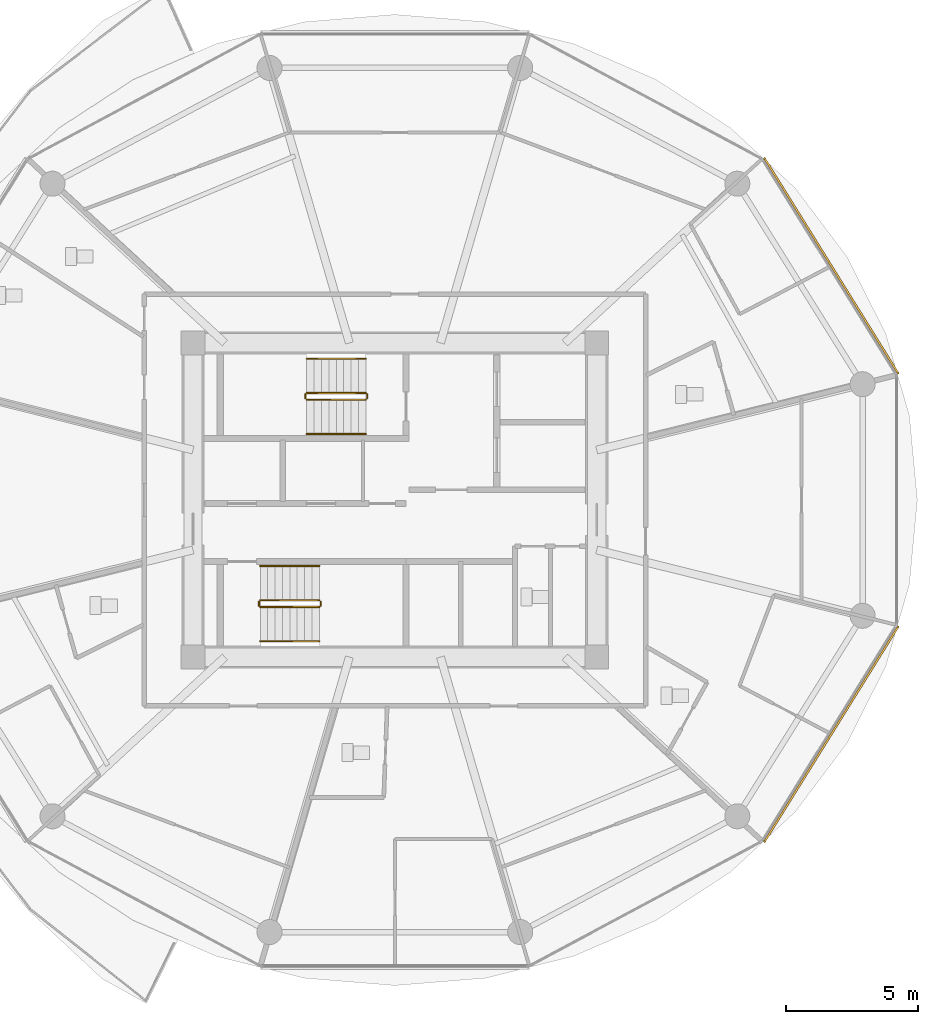
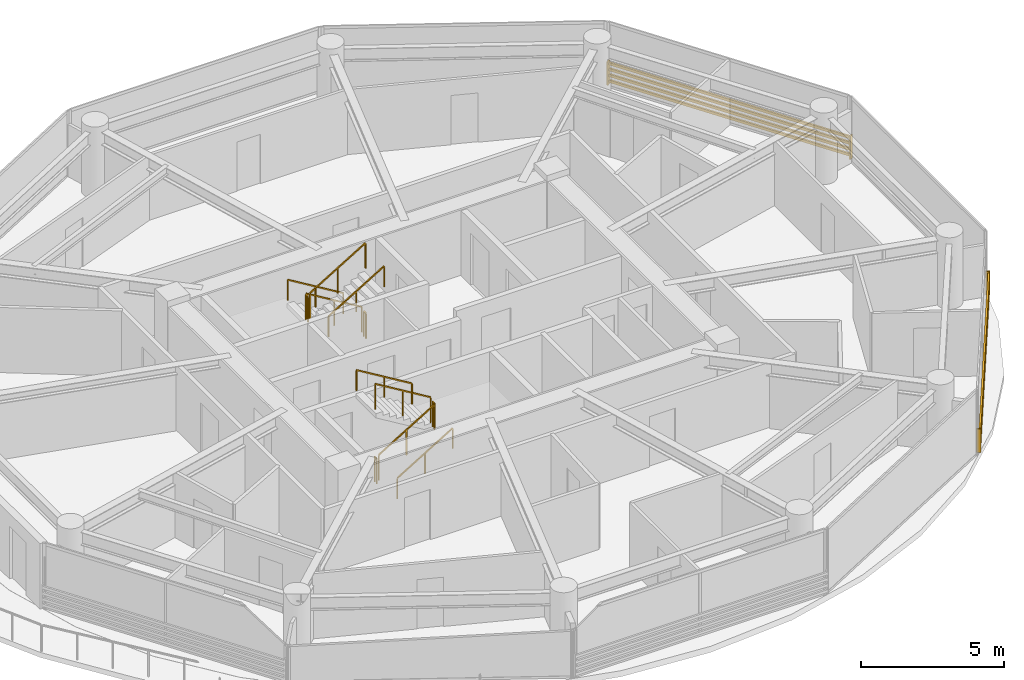
# One storey, part 24 of 26: 12 railings, 2 shading devices.
"""IFC4 building model written with IfcOpenShell, lengths in metres."""

from ifc_helpers import new_model, si_unit, direction, frame, origin, origin_2d, place, context, subcontext, project, spatial, rectangle, extrude, source, transform, mapped, material, type_object, type_shapes, element, save


model = new_model("IFC4")

# Units and contexts
model_context = context("Model", 3, precision=1e-05, world=origin(), true_north=direction((0.0, 1.0)))
body_context = subcontext(model_context, "Body", "Model", "MODEL_VIEW")
ifc_project = project(units=[si_unit("LENGTHUNIT", "METRE"), si_unit("AREAUNIT", "SQUARE_METRE"), si_unit("VOLUMEUNIT", "CUBIC_METRE"), si_unit("PLANEANGLEUNIT", "RADIAN"), si_unit("MASSUNIT", "GRAM", prefix="KILO")], contexts=[model_context])

# Site, building, storey
site_placement = place(None, origin())
site = spatial("IfcSite", under=ifc_project, at=site_placement, CompositionType="ELEMENT")
building_placement = place(site_placement, origin())
building = spatial("IfcBuilding", under=site, at=building_placement, Name="Norrkilde Senior Care Towers", CompositionType="ELEMENT")
storey_placement = place(building_placement, frame((0.0, 0.0, 67.35009765625)))
storey = spatial("IfcBuildingStorey", under=building, at=storey_placement, Name="L20", CompositionType="ELEMENT", Elevation=67.35009765625)

# Railings
ifc_material_1 = material(Name="Stainless Steel", Category="steel")
railing_type_1 = type_object("IfcRailingType", Name="Stair and Terrace Guardrail 1100", PredefinedType="GUARDRAIL", material=ifc_material_1)
railing_1_placement = place(storey_placement, frame((26.89990234375, 4.050048828125, 0.16943359375)))
element("IfcRailing", 1, at=railing_1_placement, inside=storey, type_object=railing_type_1, Name="L20 ST-E1 stair guard 1", PredefinedType="GUARDRAIL", context=body_context, shape_type="SweptSolid", body=[
    extrude(rectangle(XDim=0.048095703125, YDim=0.048095703125, at=origin_2d()), frame((0.0, 0.0, 1.076171875), z_axis=(-0.855553338991, 0.0, 0.51771467445), x_axis=(0.0, -1.0, 0.0)), (0.0, 0.0, 1.0), 2.6181640625),
    extrude(rectangle(XDim=0.0419921875, YDim=0.0419921875, at=origin_2d()), origin(), (0.0, 0.0, 1.0), 1.050048828125),
    extrude(rectangle(XDim=0.0419921875, YDim=0.0419921875, at=origin_2d()), frame((-1.1201171875, 0.0, 0.677734375)), (0.0, 0.0, 1.0), 1.050048828125),
    extrude(rectangle(XDim=0.0419921875, YDim=0.0419921875, at=origin_2d()), frame((-2.239990234375, 0.0, 1.35546875)), (0.0, 0.0, 1.0), 1.050048828125),
])
railing_2_placement = place(storey_placement, frame((24.610107421875, 4.0, 1.52490234375)))
element("IfcRailing", 2, at=railing_2_placement, inside=storey, type_object=railing_type_1, Name="L20 ST-E1 stair guard 2", PredefinedType="GUARDRAIL", context=body_context, shape_type="SweptSolid", body=[
    extrude(rectangle(XDim=0.048095703125, YDim=0.048095703125, at=origin_2d()), frame((0.0, 0.0, 1.076171875), z_axis=(0.0, -1.0, 0.0), x_axis=(1.0, 0.0, 0.0)), (0.0, 0.0, 1.0), 0.14990234375),
    extrude(rectangle(XDim=0.0419921875, YDim=0.0419921875, at=origin_2d()), origin(), (0.0, 0.0, 1.0), 1.050048828125),
    extrude(rectangle(XDim=0.0419921875, YDim=0.0419921875, at=origin_2d()), frame((0.0, -0.14990234375, 0.0)), (0.0, 0.0, 1.0), 1.050048828125),
])
railing_3_placement = place(storey_placement, frame((24.659912109375, 3.800048828125, 1.6943359375)))
element("IfcRailing", 3, at=railing_3_placement, inside=storey, type_object=railing_type_1, Name="L20 ST-E1 stair guard 3", PredefinedType="GUARDRAIL", context=body_context, shape_type="SweptSolid", body=[
    extrude(rectangle(XDim=0.048095703125, YDim=0.048095703125, at=origin_2d()), frame((0.0, 0.0, 1.076171875), z_axis=(0.855553338991, 0.0, 0.51771467445), x_axis=(0.0, 1.0, 0.0)), (0.0, 0.0, 1.0), 2.6181640625),
    extrude(rectangle(XDim=0.0419921875, YDim=0.0419921875, at=origin_2d()), origin(), (0.0, 0.0, 1.0), 1.050048828125),
    extrude(rectangle(XDim=0.0419921875, YDim=0.0419921875, at=origin_2d()), frame((1.1201171875, 0.0, 0.677734375)), (0.0, 0.0, 1.0), 1.050048828125),
    extrude(rectangle(XDim=0.0419921875, YDim=0.0419921875, at=origin_2d()), frame((2.239990234375, 0.0, 1.35546875)), (0.0, 0.0, 1.0), 1.050048828125),
])
railing_4_placement = place(storey_placement, frame((26.949951171875, 4.0, 0.0)))
element("IfcRailing", 4, at=railing_4_placement, inside=storey, type_object=railing_type_1, Name="L20 ST-E1 stair guard 4", PredefinedType="GUARDRAIL", context=body_context, shape_type="SweptSolid", body=[
    extrude(rectangle(XDim=0.048095703125, YDim=0.048095703125, at=origin_2d()), frame((0.0, 0.0, 1.076171875), z_axis=(0.0, -1.0, 0.0), x_axis=(1.0, 0.0, 0.0)), (0.0, 0.0, 1.0), 0.14990234375),
    extrude(rectangle(XDim=0.0419921875, YDim=0.0419921875, at=origin_2d()), origin(), (0.0, 0.0, 1.0), 1.050048828125),
    extrude(rectangle(XDim=0.0419921875, YDim=0.0419921875, at=origin_2d()), frame((0.0, -0.14990234375, 0.0)), (0.0, 0.0, 1.0), 1.050048828125),
])
railing_5_placement = place(storey_placement, frame((22.89990234375, -4.050048828125, 0.16943359375)))
element("IfcRailing", 5, at=railing_5_placement, inside=storey, type_object=railing_type_1, Name="L20 ST-E2 stair guard 1", PredefinedType="GUARDRAIL", context=body_context, shape_type="SweptSolid", body=[
    extrude(rectangle(XDim=0.048095703125, YDim=0.048095703125, at=origin_2d()), frame((0.0, 0.0, 1.076171875), z_axis=(0.855553338991, 0.0, 0.51771467445), x_axis=(0.0, 1.0, 0.0)), (0.0, 0.0, 1.0), 2.6181640625),
    extrude(rectangle(XDim=0.0419921875, YDim=0.0419921875, at=origin_2d()), origin(), (0.0, 0.0, 1.0), 1.050048828125),
    extrude(rectangle(XDim=0.0419921875, YDim=0.0419921875, at=origin_2d()), frame((1.1201171875, 0.0, 0.677734375)), (0.0, 0.0, 1.0), 1.050048828125),
    extrude(rectangle(XDim=0.0419921875, YDim=0.0419921875, at=origin_2d()), frame((2.239990234375, 0.0, 1.35546875)), (0.0, 0.0, 1.0), 1.050048828125),
])
railing_6_placement = place(storey_placement, frame((25.18994140625, -4.0, 1.52490234375)))
element("IfcRailing", 6, at=railing_6_placement, inside=storey, type_object=railing_type_1, Name="L20 ST-E2 stair guard 2", PredefinedType="GUARDRAIL", context=body_context, shape_type="SweptSolid", body=[
    extrude(rectangle(XDim=0.048095703125, YDim=0.048095703125, at=origin_2d()), frame((0.0, 0.0, 1.076171875), z_axis=(0.0, 1.0, 0.0), x_axis=(-1.0, 0.0, 0.0)), (0.0, 0.0, 1.0), 0.14990234375),
    extrude(rectangle(XDim=0.0419921875, YDim=0.0419921875, at=origin_2d()), origin(), (0.0, 0.0, 1.0), 1.050048828125),
    extrude(rectangle(XDim=0.0419921875, YDim=0.0419921875, at=origin_2d()), frame((0.0, 0.14990234375, 0.0)), (0.0, 0.0, 1.0), 1.050048828125),
])
railing_7_placement = place(storey_placement, frame((25.139892578125, -3.800048828125, 1.6943359375)))
element("IfcRailing", 7, at=railing_7_placement, inside=storey, type_object=railing_type_1, Name="L20 ST-E2 stair guard 3", PredefinedType="GUARDRAIL", context=body_context, shape_type="SweptSolid", body=[
    extrude(rectangle(XDim=0.048095703125, YDim=0.048095703125, at=origin_2d()), frame((0.0, 0.0, 1.076171875), z_axis=(-0.855553338991, 0.0, 0.51771467445), x_axis=(0.0, -1.0, 0.0)), (0.0, 0.0, 1.0), 2.6181640625),
    extrude(rectangle(XDim=0.0419921875, YDim=0.0419921875, at=origin_2d()), origin(), (0.0, 0.0, 1.0), 1.050048828125),
    extrude(rectangle(XDim=0.0419921875, YDim=0.0419921875, at=origin_2d()), frame((-1.1201171875, 0.0, 0.677734375)), (0.0, 0.0, 1.0), 1.050048828125),
    extrude(rectangle(XDim=0.0419921875, YDim=0.0419921875, at=origin_2d()), frame((-2.239990234375, 0.0, 1.35546875)), (0.0, 0.0, 1.0), 1.050048828125),
])
railing_8_placement = place(storey_placement, frame((22.85009765625, -4.0, 0.0)))
element("IfcRailing", 8, at=railing_8_placement, inside=storey, type_object=railing_type_1, Name="L20 ST-E2 stair guard 4", PredefinedType="GUARDRAIL", context=body_context, shape_type="SweptSolid", body=[
    extrude(rectangle(XDim=0.048095703125, YDim=0.048095703125, at=origin_2d()), frame((0.0, 0.0, 1.076171875), z_axis=(0.0, 1.0, 0.0), x_axis=(-1.0, 0.0, 0.0)), (0.0, 0.0, 1.0), 0.14990234375),
    extrude(rectangle(XDim=0.0419921875, YDim=0.0419921875, at=origin_2d()), origin(), (0.0, 0.0, 1.0), 1.050048828125),
    extrude(rectangle(XDim=0.0419921875, YDim=0.0419921875, at=origin_2d()), frame((0.0, 0.14990234375, 0.0)), (0.0, 0.0, 1.0), 1.050048828125),
])
ifc_material_2 = material(Name="Nordic Ash Timber", Category="wood")
railing_type_2 = type_object("IfcRailingType", Name="Wall and Stair Handrail 900", PredefinedType="HANDRAIL", material=ifc_material_2)
railing_9_placement = place(storey_placement, frame((26.89990234375, 5.35009765625, 0.16943359375)))
element("IfcRailing", 9, at=railing_9_placement, inside=storey, type_object=railing_type_2, Name="L20 ST-E1 stair handrail 1", PredefinedType="HANDRAIL", context=body_context, shape_type="SweptSolid", body=[
    extrude(rectangle(XDim=0.048095703125, YDim=0.048095703125, at=origin_2d()), frame((0.0, 0.0, 0.8759765625), z_axis=(-0.855553338991, 0.0, 0.51771467445), x_axis=(0.0, -1.0, 0.0)), (0.0, 0.0, 1.0), 2.6181640625),
    extrude(rectangle(XDim=0.0419921875, YDim=0.0419921875, at=origin_2d()), origin(), (0.0, 0.0, 1.0), 0.849853515625),
    extrude(rectangle(XDim=0.0419921875, YDim=0.0419921875, at=origin_2d()), frame((-1.1201171875, 0.0, 0.677734375)), (0.0, 0.0, 1.0), 0.849853515625),
    extrude(rectangle(XDim=0.0419921875, YDim=0.0419921875, at=origin_2d()), frame((-2.239990234375, 0.0, 1.35546875)), (0.0, 0.0, 1.0), 0.849853515625),
])
for number, where, name in (
    (10, (24.659912109375, 2.5, 1.6943359375), "L20 ST-E1 stair handrail 2"),
    (11, (22.89990234375, -5.35009765625, 0.16943359375), "L20 ST-E2 stair handrail 1"),
):
    element("IfcRailing", number, at=place(storey_placement, frame(where)), inside=storey, type_object=railing_type_2, Name=name, PredefinedType="HANDRAIL", context=body_context, shape_type="SweptSolid", body=[
        extrude(rectangle(XDim=0.048095703125, YDim=0.048095703125, at=origin_2d()), frame((0.0, 0.0, 0.8759765625), z_axis=(0.855553338991, 0.0, 0.51771467445), x_axis=(0.0, 1.0, 0.0)), (0.0, 0.0, 1.0), 2.6181640625),
        extrude(rectangle(XDim=0.0419921875, YDim=0.0419921875, at=origin_2d()), origin(), (0.0, 0.0, 1.0), 0.849853515625),
        extrude(rectangle(XDim=0.0419921875, YDim=0.0419921875, at=origin_2d()), frame((1.1201171875, 0.0, 0.677734375)), (0.0, 0.0, 1.0), 0.849853515625),
        extrude(rectangle(XDim=0.0419921875, YDim=0.0419921875, at=origin_2d()), frame((2.239990234375, 0.0, 1.35546875)), (0.0, 0.0, 1.0), 0.849853515625),
    ])
railing_10_placement = place(storey_placement, frame((25.139892578125, -2.5, 1.6943359375)))
element("IfcRailing", 12, at=railing_10_placement, inside=storey, type_object=railing_type_2, Name="L20 ST-E2 stair handrail 2", PredefinedType="HANDRAIL", context=body_context, shape_type="SweptSolid", body=[
    extrude(rectangle(XDim=0.048095703125, YDim=0.048095703125, at=origin_2d()), frame((0.0, 0.0, 0.8759765625), z_axis=(-0.855553338991, 0.0, 0.51771467445), x_axis=(0.0, -1.0, 0.0)), (0.0, 0.0, 1.0), 2.6181640625),
    extrude(rectangle(XDim=0.0419921875, YDim=0.0419921875, at=origin_2d()), origin(), (0.0, 0.0, 1.0), 0.849853515625),
    extrude(rectangle(XDim=0.0419921875, YDim=0.0419921875, at=origin_2d()), frame((-1.1201171875, 0.0, 0.677734375)), (0.0, 0.0, 1.0), 0.849853515625),
    extrude(rectangle(XDim=0.0419921875, YDim=0.0419921875, at=origin_2d()), frame((-2.239990234375, 0.0, 1.35546875)), (0.0, 0.0, 1.0), 0.849853515625),
])

# Shading devices
ifc_material_3 = material(Name="Architectural Terracotta", Category="masonry")
shading_device_type = type_object("IfcShadingDeviceType", Name="Horizontal Terracotta Baguette Rack", PredefinedType="USERDEFINED", material=ifc_material_3)
shared_shape = source(origin(), body_context, "Body", "SweptSolid", [
    extrude(rectangle(XDim=0.070068359375, YDim=0.110107421875, at=origin_2d()), frame((0.0, 0.090087890625, 0.125), z_axis=(1.0, 0.0, 0.0), x_axis=(0.0, 1.0, 0.0)), (0.0, 0.0, 1.0), 9.64892578125),
    extrude(rectangle(XDim=0.070068359375, YDim=0.110107421875, at=origin_2d()), frame((0.0, 0.090087890625, 0.375), z_axis=(1.0, 0.0, 0.0), x_axis=(0.0, 1.0, 0.0)), (0.0, 0.0, 1.0), 9.64892578125),
    extrude(rectangle(XDim=0.070068359375, YDim=0.110107421875, at=origin_2d()), frame((0.0, 0.090087890625, 0.625), z_axis=(1.0, 0.0, 0.0), x_axis=(0.0, 1.0, 0.0)), (0.0, 0.0, 1.0), 9.64892578125),
    extrude(rectangle(XDim=0.070068359375, YDim=0.110107421875, at=origin_2d()), frame((0.0, 0.090087890625, 0.875), z_axis=(1.0, 0.0, 0.0), x_axis=(0.0, 1.0, 0.0)), (0.0, 0.0, 1.0), 9.64892578125),
    extrude(rectangle(XDim=0.050048828125, YDim=0.1552734375, at=origin_2d()), frame((0.02490234375, 0.047607421875, 0.0)), (0.0, 0.0, 1.0), 1.0),
    extrude(rectangle(XDim=0.050048828125, YDim=0.1552734375, at=origin_2d()), frame((9.6240234375, 0.047607421875, 0.0)), (0.0, 0.0, 1.0), 1.0),
])
type_shapes(shading_device_type, [shared_shape])
for number, where, z_axis, x_axis, name in (
    (13, (41.915771484375, 12.926025390625, 0.079833984375), (0.0, 0.0, 1.0), (0.527908506655, -0.849299124538, 0.0), "L20 Drum E Terracotta Baguette Screen 00"),
    (14, (47.009521484375, -4.731201171875, 0.079833984375), (0.0, 0.0, 1.0), (-0.527908506655, -0.849299124538, 0.0), "L20 Drum E Terracotta Baguette Screen 10"),
):
    element("IfcShadingDevice", number, at=place(storey_placement, frame(where, z_axis=z_axis, x_axis=x_axis)), inside=storey, type_object=shading_device_type, Name=name, ObjectType="BAGUETTE", PredefinedType="USERDEFINED", context=body_context, shape_type="MappedRepresentation", body=[
        mapped(shared_shape, transform((0.0, 0.0, 0.0), x_axis=(1.0, 0.0, 0.0), y_axis=(0.0, 1.0, 0.0), z_axis=(0.0, 0.0, 1.0), scale=1.0)),
    ])

save(model, "model.ifc")
